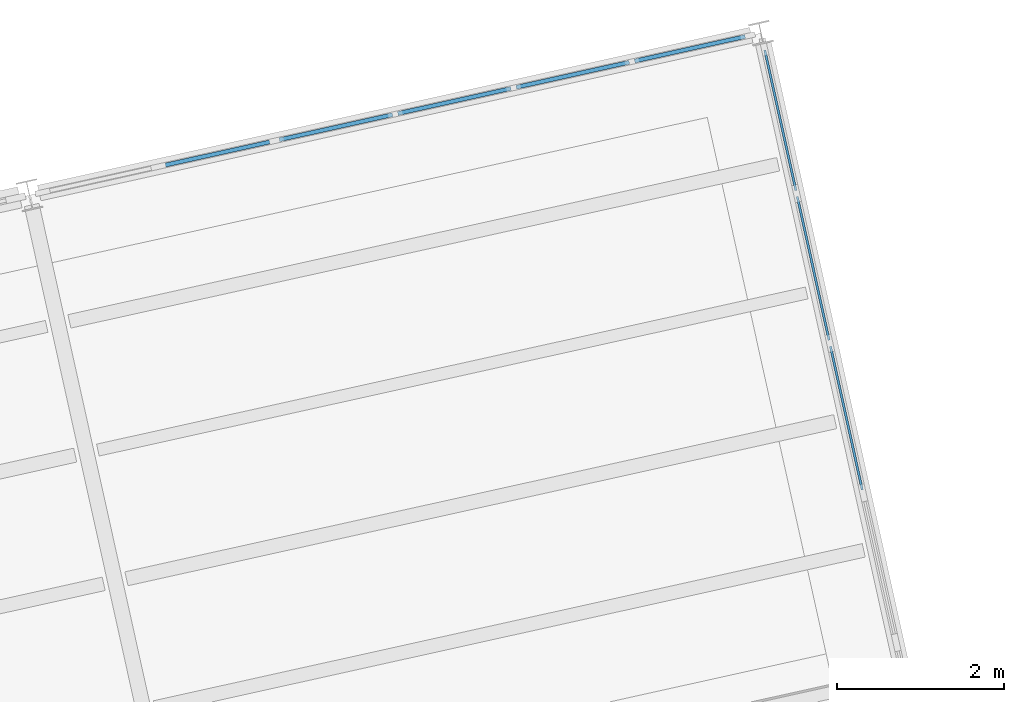
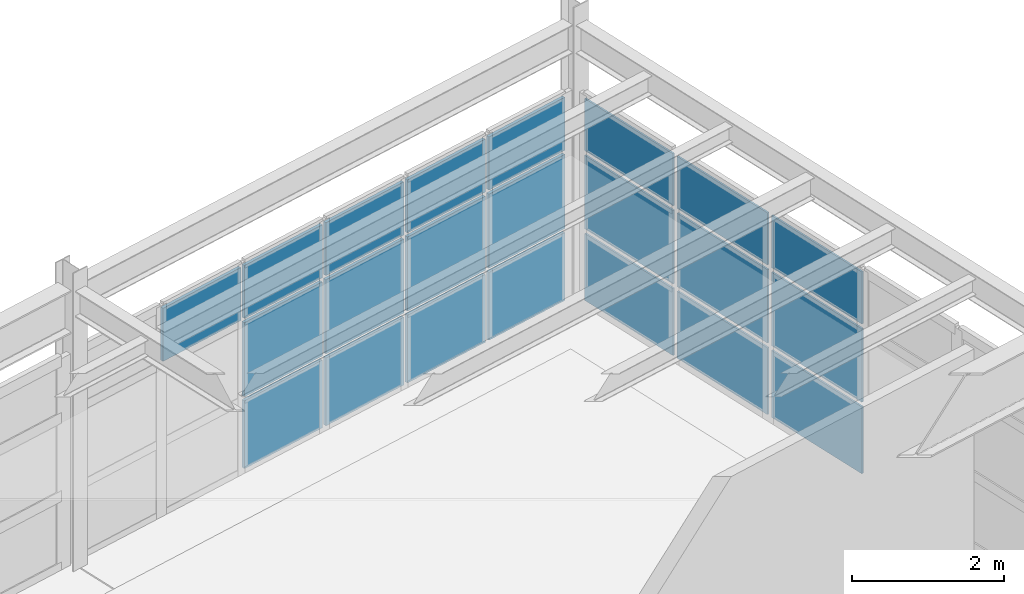
# One storey, part 40 of 59: 22 plates, 2 elements without a shape of their own.
"""IFC4 building model written with IfcOpenShell, lengths in metres."""

import ifcopenshell
import ifcopenshell.guid

model = None  # the IFC model being written
_history = None  # IfcOwnerHistory: only IFC2X3 demands one
_inside = {}  # id of a spatial element -> (the spatial element, [elements in it])
_under = {}  # id of a project, library or spatial element -> (it, [spatial elements below it])
_declared = {}  # id of a project -> (the project, [libraries it declares])
_typed = {}  # id of a type object -> (the type object, [elements of that type])
_made_of = {}  # id of a material, layer set ... -> (it, [elements and type objects made of it])


def new_model(schema):
    """Start an empty IFC model of exactly this schema.

    Asked for "IFC4X3", IfcOpenShell would pick the latest addendum, in which some entities
    have other attributes; the version numbers below select the first issue.
    IFC2X3 requires an IfcOwnerHistory on every rooted entity: one is made here for all.
    """
    global model, _history
    if schema == "IFC4X3":
        model = ifcopenshell.file(schema_version=(4, 3, 0, 0))
    else:
        model = ifcopenshell.file(schema=schema)
    _inside.clear()
    _under.clear()
    _declared.clear()
    _typed.clear()
    _made_of.clear()
    _history = None
    if model.schema == "IFC2X3":
        org = make("IfcOrganization", Name="unknown")
        user = make(
            "IfcPersonAndOrganization",
            ThePerson=make("IfcPerson", FamilyName="unknown"),
            TheOrganization=org,
        )
        app = make(
            "IfcApplication",
            ApplicationDeveloper=org,
            Version="unknown",
            ApplicationFullName="unknown",
            ApplicationIdentifier="unknown",
        )
        _history = make(
            "IfcOwnerHistory",
            OwningUser=user,
            OwningApplication=app,
            ChangeAction="ADDED",
            CreationDate=0,
        )
    return model


def make(cls, **values):
    """One entity of the class cls with the attributes given. An attribute that is None is left unset."""
    return model.create_entity(
        cls, **{name: value for name, value in values.items() if value is not None}
    )


def rooted(cls, **values):
    """An entity with a GlobalId (a new one), such as an element, a storey or a relation."""
    return make(cls, GlobalId=ifcopenshell.guid.new(), OwnerHistory=_history, **values)


def si_unit(unit_type, name, prefix=None):
    """IfcSIUnit, for example si_unit("LENGTHUNIT", "METRE", prefix="MILLI")."""
    return make("IfcSIUnit", UnitType=unit_type, Prefix=prefix, Name=name)


def assignment(units):
    """IfcUnitAssignment: the units of a project."""
    return None if units is None else make("IfcUnitAssignment", Units=units)


def point(xyz):
    """IfcCartesianPoint."""
    return None if xyz is None else make("IfcCartesianPoint", Coordinates=xyz)


def direction(xyz):
    """IfcDirection."""
    return None if xyz is None else make("IfcDirection", DirectionRatios=xyz)


def frame(location, z_axis=None, x_axis=None):
    """IfcAxis2Placement3D, a coordinate frame: its origin and axes. An axis left out is left unset."""
    return make(
        "IfcAxis2Placement3D",
        Location=point(location),
        Axis=direction(z_axis),
        RefDirection=direction(x_axis),
    )


def frame_2d(location, x_axis=None):
    """IfcAxis2Placement2D, a coordinate frame in the plane: its origin and x axis."""
    return make(
        "IfcAxis2Placement2D", Location=point(location), RefDirection=direction(x_axis)
    )


def origin():
    """The frame at (0, 0, 0) with its axes left unset."""
    return frame((0.0, 0.0, 0.0))


def origin_2d():
    """The frame at (0, 0) in the plane with its x axis left unset."""
    return frame_2d((0.0, 0.0))


def place(relative_to, where):
    """IfcLocalPlacement: puts the frame where relative to a parent placement (None: the world)."""
    return make(
        "IfcLocalPlacement", PlacementRelTo=relative_to, RelativePlacement=where
    )


def context(
    kind, dimensions, precision=None, world=None, true_north=None, identifier=None
):
    """IfcGeometricRepresentationContext, for example the 3D "Model" context."""
    return make(
        "IfcGeometricRepresentationContext",
        ContextIdentifier=identifier,
        ContextType=kind,
        CoordinateSpaceDimension=dimensions,
        Precision=precision,
        WorldCoordinateSystem=world,
        TrueNorth=true_north,
    )


def subcontext(parent, identifier, kind, view, scale=None):
    """IfcGeometricRepresentationSubContext, for example "Body" below "Model"."""
    return make(
        "IfcGeometricRepresentationSubContext",
        ContextIdentifier=identifier,
        ContextType=kind,
        ParentContext=parent,
        TargetScale=scale,
        TargetView=view,
    )


def project(units=None, contexts=None):
    """IfcProject with its units and contexts."""
    return rooted(
        "IfcProject",
        Name="project",
        RepresentationContexts=contexts,
        UnitsInContext=assignment(units),
    )


def spatial(cls, under=None, at=None, **own):
    """A site, building, storey or space (cls), placed at a placement, below another one or the project."""
    s = rooted(cls, ObjectPlacement=at, **own)
    if under is not None:
        _under.setdefault(under.id(), (under, []))[1].append(s)
    return s


def profile(cls, at=None, kind="AREA", **sizes):
    """A parametric profile (cls). Its sizes go by their IFC names, for example OverallWidth=200.0."""
    return make(cls, ProfileType=kind, Position=at, **sizes)


def rectangle(**sizes):
    """IfcRectangleProfileDef."""
    return profile("IfcRectangleProfileDef", **sizes)


def extrude(swept, where, along, depth):
    """IfcExtrudedAreaSolid: the profile swept, set in the frame where, extruded along a direction by depth."""
    return make(
        "IfcExtrudedAreaSolid",
        SweptArea=swept,
        Position=where,
        ExtrudedDirection=direction(along),
        Depth=depth,
    )


def shape(context_of_items, identifier, shape_type, items):
    """IfcShapeRepresentation: the items that make up one representation, for example the "Body"."""
    return make(
        "IfcShapeRepresentation",
        ContextOfItems=context_of_items,
        RepresentationIdentifier=identifier,
        RepresentationType=shape_type,
        Items=items,
    )


def material(Name=None, Category=None):
    """IfcMaterial."""
    return make("IfcMaterial", Name=Name, Category=Category)


def layer(
    of_material, thickness, ventilated=None, Name=None, Category=None, Priority=None
):
    """IfcMaterialLayer: one layer of a wall or slab, of a material (None: an air gap)."""
    return make(
        "IfcMaterialLayer",
        Material=of_material,
        LayerThickness=thickness,
        IsVentilated=ventilated,
        Name=Name,
        Category=Category,
        Priority=Priority,
    )


def layer_set(layers, Name=None):
    """IfcMaterialLayerSet."""
    return make("IfcMaterialLayerSet", MaterialLayers=layers, LayerSetName=Name)


def made_of(thing, what):
    """Note that an element or type object is made of a material, layer set ...; save() writes the relation."""
    if what is not None:
        _made_of.setdefault(what.id(), (what, []))[1].append(thing)
    return thing


def type_object(cls, material=None, **own):
    """A type object (cls), such as IfcWallType, which elements share."""
    return made_of(rooted(cls, **own), material)


def element(
    cls,
    number,
    at=None,
    inside=None,
    cuts=None,
    type_object=None,
    material=None,
    context=None,
    identifier="Body",
    shape_type=None,
    held_by="IfcProductDefinitionShape",
    body=None,
    shapes=None,
    **own,
):
    """One element of the class cls, such as IfcWall. Its Tag is "e" and its number.

    at: its placement. inside: the storey or other place that contains it. cuts: it is an
    opening in that element (IfcRelVoidsElement). A single representation is given by context,
    identifier, shape_type and body (its items); several are given by shapes. held_by: the class
    of the entity that holds the representations. save() writes the other relations.
    """
    e = rooted(cls, Tag="e%d" % number, ObjectPlacement=at, **own)
    if body is not None:
        shapes = [shape(context, identifier, shape_type, body)]
    if shapes is not None:
        e.Representation = make(held_by, Representations=shapes)
    if inside is not None:
        _inside.setdefault(inside.id(), (inside, []))[1].append(e)
    if cuts is not None:
        rooted(
            "IfcRelVoidsElement", RelatingBuildingElement=cuts, RelatedOpeningElement=e
        )
    if type_object is not None:
        _typed.setdefault(type_object.id(), (type_object, []))[1].append(e)
    return made_of(e, material)


def aggregate(whole, parts):
    """IfcRelAggregates: a whole, such as a stair, and the parts it consists of."""
    return rooted("IfcRelAggregates", RelatingObject=whole, RelatedObjects=parts)


def save(model, path):
    """Write the relations noted so far, then the file.

    IfcRelAggregates (storeys below a building ...), IfcRelContainedInSpatialStructure (elements
    in a storey), IfcRelDefinesByType, IfcRelAssociatesMaterial and IfcRelDeclares: one each for
    every whole, place, type object, material and project.
    """
    for whole, parts in _under.values():
        aggregate(whole, parts)
    for where, things in _inside.values():
        rooted(
            "IfcRelContainedInSpatialStructure",
            RelatedElements=things,
            RelatingStructure=where,
        )
    for kind, things in _typed.values():
        rooted("IfcRelDefinesByType", RelatedObjects=things, RelatingType=kind)
    for what, things in _made_of.values():
        rooted("IfcRelAssociatesMaterial", RelatedObjects=things, RelatingMaterial=what)
    for by, libraries in _declared.values():
        rooted("IfcRelDeclares", RelatingContext=by, RelatedDefinitions=libraries)
    model.write(path)


model = new_model("IFC4")

# Units and contexts
model_context = context("Model", 3, precision=1e-05, world=origin(), true_north=direction((0.0, 1.0)))
body_context = subcontext(model_context, "Body", "Model", "MODEL_VIEW")
ifc_project = project(units=[si_unit("LENGTHUNIT", "METRE"), si_unit("AREAUNIT", "SQUARE_METRE"), si_unit("VOLUMEUNIT", "CUBIC_METRE"), si_unit("PLANEANGLEUNIT", "RADIAN"), si_unit("MASSUNIT", "GRAM", prefix="KILO")], contexts=[model_context])

# Site, building, storey
site_placement = place(None, origin())
site = spatial("IfcSite", under=ifc_project, at=site_placement, CompositionType="ELEMENT")
building_placement = place(site_placement, origin())
building = spatial("IfcBuilding", under=site, at=building_placement, Name="Vireo Bluff Cable Station", CompositionType="ELEMENT")
storey_placement = place(building_placement, frame((0.0, 0.0, 14.39990234375)))
storey = spatial("IfcBuildingStorey", under=building, at=storey_placement, Name="L03", CompositionType="ELEMENT", Elevation=14.39990234375)

# Curtain wall, plates
ifc_material_1 = material(Name="Anodized Aluminium 6063-T6", Category="aluminium")
ifc_layer_1 = layer(ifc_material_1, 0.159912109375, Name="Anodized Aluminium 6063-T6")
ifc_layer_set_1 = layer_set([ifc_layer_1], Name="Anodized Aluminium 6063-T6")
curtain_wall_type_1 = type_object("IfcCurtainWallType", Name="CW-STICK-1850", PredefinedType="USERDEFINED", material=ifc_layer_set_1)
curtain_wall_1_placement = place(storey_placement, origin())
curtain_wall_1 = element("IfcCurtainWall", 1, at=curtain_wall_1_placement, inside=storey, type_object=curtain_wall_type_1, Name="V2 L03 east curtain wall CW-065", ObjectType="STICK CURTAIN WALL", PredefinedType="USERDEFINED")
ifc_material_2 = material(Name="Laminated Low-E Insulated Glass", Category="glass")
ifc_layer_2 = layer(ifc_material_2, 0.028076171875, Name="Laminated Low-E Insulated Glass")
ifc_layer_set_2 = layer_set([ifc_layer_2], Name="Laminated Low-E Insulated Glass")
plate_type_1 = type_object("IfcPlateType", Name="CWP-28-1", PredefinedType="CURTAIN_PANEL", material=ifc_layer_set_2)
plate_1_placement = place(storey_placement, frame((155.21044921875, 108.568359375, 0.0751953125), z_axis=(0.0, 0.0, 1.0), x_axis=(0.216439563688, -0.97629601826, 0.0)))
plate_1 = element("IfcPlate", 2, at=plate_1_placement, type_object=plate_type_1, Name="CW-065 panel 1.1", PredefinedType="CURTAIN_PANEL", context=body_context, shape_type="SweptSolid", body=[
    extrude(rectangle(XDim=1.728759765625, YDim=0.028076171875, at=origin_2d()), origin(), (0.0, 0.0, 1.0), 1.077392578125),
])
plate_2_placement = place(storey_placement, frame((155.21044921875, 108.568359375, 1.2275390625), z_axis=(0.0, 0.0, 1.0), x_axis=(0.216439563688, -0.97629601826, 0.0)))
plate_2 = element("IfcPlate", 3, at=plate_2_placement, type_object=plate_type_1, Name="CW-065 panel 1.2", PredefinedType="CURTAIN_PANEL", context=body_context, shape_type="SweptSolid", body=[
    extrude(rectangle(XDim=1.728759765625, YDim=0.028076171875, at=origin_2d()), origin(), (0.0, 0.0, 1.0), 1.18310546875),
])
plate_3_placement = place(storey_placement, frame((155.21044921875, 108.568359375, 2.4853515625), z_axis=(0.0, 0.0, 1.0), x_axis=(0.216439563688, -0.97629601826, 0.0)))
plate_3 = element("IfcPlate", 4, at=plate_3_placement, type_object=plate_type_1, Name="CW-065 panel 1.3", PredefinedType="CURTAIN_PANEL", context=body_context, shape_type="SweptSolid", body=[
    extrude(rectangle(XDim=1.728759765625, YDim=0.028076171875, at=origin_2d()), origin(), (0.0, 0.0, 1.0), 0.839599609375),
])
plate_4_placement = place(storey_placement, frame((155.60498046875, 106.7890625, 0.0751953125), z_axis=(0.0, 0.0, 1.0), x_axis=(0.216439563688, -0.97629601826, 0.0)))
plate_4 = element("IfcPlate", 5, at=plate_4_placement, type_object=plate_type_1, Name="CW-065 panel 2.1", PredefinedType="CURTAIN_PANEL", context=body_context, shape_type="SweptSolid", body=[
    extrude(rectangle(XDim=1.766357421875, YDim=0.028076171875, at=origin_2d()), origin(), (0.0, 0.0, 1.0), 1.077392578125),
])
plate_5_placement = place(storey_placement, frame((155.60498046875, 106.7890625, 1.2275390625), z_axis=(0.0, 0.0, 1.0), x_axis=(0.216439563688, -0.97629601826, 0.0)))
plate_5 = element("IfcPlate", 6, at=plate_5_placement, type_object=plate_type_1, Name="CW-065 panel 2.2", PredefinedType="CURTAIN_PANEL", context=body_context, shape_type="SweptSolid", body=[
    extrude(rectangle(XDim=1.766357421875, YDim=0.028076171875, at=origin_2d()), origin(), (0.0, 0.0, 1.0), 1.18310546875),
])
plate_6_placement = place(storey_placement, frame((155.60498046875, 106.7890625, 2.4853515625), z_axis=(0.0, 0.0, 1.0), x_axis=(0.216439563688, -0.97629601826, 0.0)))
plate_6 = element("IfcPlate", 7, at=plate_6_placement, type_object=plate_type_1, Name="CW-065 panel 2.3", PredefinedType="CURTAIN_PANEL", context=body_context, shape_type="SweptSolid", body=[
    extrude(rectangle(XDim=1.766357421875, YDim=0.028076171875, at=origin_2d()), origin(), (0.0, 0.0, 1.0), 0.839599609375),
])
plate_7_placement = place(storey_placement, frame((156.00341796875, 104.9912109375, 0.0751953125), z_axis=(0.0, 0.0, 1.0), x_axis=(0.216439563688, -0.97629601826, 0.0)))
plate_7 = element("IfcPlate", 8, at=plate_7_placement, type_object=plate_type_1, Name="CW-065 panel 3.1", PredefinedType="CURTAIN_PANEL", context=body_context, shape_type="SweptSolid", body=[
    extrude(rectangle(XDim=1.766357421875, YDim=0.028076171875, at=origin_2d()), origin(), (0.0, 0.0, 1.0), 1.077392578125),
])
plate_8_placement = place(storey_placement, frame((156.00341796875, 104.9912109375, 1.2275390625), z_axis=(0.0, 0.0, 1.0), x_axis=(0.216439563688, -0.97629601826, 0.0)))
plate_8 = element("IfcPlate", 9, at=plate_8_placement, type_object=plate_type_1, Name="CW-065 panel 3.2", PredefinedType="CURTAIN_PANEL", context=body_context, shape_type="SweptSolid", body=[
    extrude(rectangle(XDim=1.766357421875, YDim=0.028076171875, at=origin_2d()), origin(), (0.0, 0.0, 1.0), 1.18310546875),
])
plate_9_placement = place(storey_placement, frame((156.00341796875, 104.9912109375, 2.4853515625), z_axis=(0.0, 0.0, 1.0), x_axis=(0.216439563688, -0.97629601826, 0.0)))
plate_9 = element("IfcPlate", 10, at=plate_9_placement, type_object=plate_type_1, Name="CW-065 panel 3.3", PredefinedType="CURTAIN_PANEL", context=body_context, shape_type="SweptSolid", body=[
    extrude(rectangle(XDim=1.766357421875, YDim=0.028076171875, at=origin_2d()), origin(), (0.0, 0.0, 1.0), 0.839599609375),
])
aggregate(curtain_wall_1, [plate_1, plate_2, plate_3, plate_4, plate_5, plate_6, plate_7, plate_8, plate_9])

ifc_layer_3 = layer(ifc_material_1, 0.179931640625, Name="Anodized Aluminium 6063-T6")
ifc_layer_set_3 = layer_set([ifc_layer_3], Name="Anodized Aluminium 6063-T6")
curtain_wall_type_2 = type_object("IfcCurtainWallType", Name="CW-UNIT-1500", PredefinedType="USERDEFINED", material=ifc_layer_set_3)
curtain_wall_2_placement = place(storey_placement, origin())
curtain_wall_2 = element("IfcCurtainWall", 11, at=curtain_wall_2_placement, inside=storey, type_object=curtain_wall_type_2, Name="V2 L03 north curtain wall CW-064", ObjectType="UNITISED CURTAIN WALL", PredefinedType="USERDEFINED")
ifc_material_3 = material(Name="Insulated Spandrel Glass Panel", Category="glass")
ifc_layer_4 = layer(ifc_material_3, 0.048095703125, Name="Insulated Spandrel Glass Panel")
ifc_layer_set_4 = layer_set([ifc_layer_4], Name="Insulated Spandrel Glass Panel")
plate_type_2 = type_object("IfcPlateType", Name="CWP-48-5", PredefinedType="CURTAIN_PANEL", material=ifc_layer_set_4)
plate_10_placement = place(storey_placement, frame((148.45068359375, 108.169189453125, 2.480712890625), z_axis=(0.0, 0.0, 1.0), x_axis=(0.976295997736, 0.216439656264, 0.0)))
plate_10 = element("IfcPlate", 12, at=plate_10_placement, type_object=plate_type_2, Name="CW-064 panel 2.3", PredefinedType="CURTAIN_PANEL", context=body_context, shape_type="SweptSolid", body=[
    extrude(rectangle(XDim=1.391845703125, YDim=0.048095703125, at=origin_2d()), origin(), (0.0, 0.0, 1.0), 0.8544921875),
])
plate_11_placement = place(storey_placement, frame((149.873046875, 108.484375, 0.06494140625), z_axis=(0.0, 0.0, 1.0), x_axis=(0.976295997736, 0.216439656264, 0.0)))
plate_11 = element("IfcPlate", 13, at=plate_11_placement, type_object=plate_type_2, Name="CW-064 panel 3.1", PredefinedType="CURTAIN_PANEL", context=body_context, shape_type="SweptSolid", body=[
    extrude(rectangle(XDim=1.391845703125, YDim=0.048095703125, at=origin_2d()), origin(), (0.0, 0.0, 1.0), 1.092529296875),
])
plate_12_placement = place(storey_placement, frame((149.873046875, 108.484375, 1.22265625), z_axis=(0.0, 0.0, 1.0), x_axis=(0.976295997736, 0.216439656264, 0.0)))
plate_12 = element("IfcPlate", 14, at=plate_12_placement, type_object=plate_type_2, Name="CW-064 panel 3.2", PredefinedType="CURTAIN_PANEL", context=body_context, shape_type="SweptSolid", body=[
    extrude(rectangle(XDim=1.391845703125, YDim=0.048095703125, at=origin_2d()), origin(), (0.0, 0.0, 1.0), 1.193115234375),
])
plate_13_placement = place(storey_placement, frame((149.873046875, 108.484375, 2.480712890625), z_axis=(0.0, 0.0, 1.0), x_axis=(0.976295997736, 0.216439656264, 0.0)))
plate_13 = element("IfcPlate", 15, at=plate_13_placement, type_object=plate_type_2, Name="CW-064 panel 3.3", PredefinedType="CURTAIN_PANEL", context=body_context, shape_type="SweptSolid", body=[
    extrude(rectangle(XDim=1.391845703125, YDim=0.048095703125, at=origin_2d()), origin(), (0.0, 0.0, 1.0), 0.8544921875),
])
plate_14_placement = place(storey_placement, frame((151.295166015625, 108.7998046875, 0.06494140625), z_axis=(0.0, 0.0, 1.0), x_axis=(0.976295997736, 0.216439656264, 0.0)))
plate_14 = element("IfcPlate", 16, at=plate_14_placement, type_object=plate_type_2, Name="CW-064 panel 4.1", PredefinedType="CURTAIN_PANEL", context=body_context, shape_type="SweptSolid", body=[
    extrude(rectangle(XDim=1.391845703125, YDim=0.048095703125, at=origin_2d()), origin(), (0.0, 0.0, 1.0), 1.092529296875),
])
plate_15_placement = place(storey_placement, frame((151.295166015625, 108.7998046875, 1.22265625), z_axis=(0.0, 0.0, 1.0), x_axis=(0.976295997736, 0.216439656264, 0.0)))
plate_15 = element("IfcPlate", 17, at=plate_15_placement, type_object=plate_type_2, Name="CW-064 panel 4.2", PredefinedType="CURTAIN_PANEL", context=body_context, shape_type="SweptSolid", body=[
    extrude(rectangle(XDim=1.391845703125, YDim=0.048095703125, at=origin_2d()), origin(), (0.0, 0.0, 1.0), 1.193115234375),
])
plate_16_placement = place(storey_placement, frame((151.295166015625, 108.7998046875, 2.480712890625), z_axis=(0.0, 0.0, 1.0), x_axis=(0.976295997736, 0.216439656264, 0.0)))
plate_16 = element("IfcPlate", 18, at=plate_16_placement, type_object=plate_type_2, Name="CW-064 panel 4.3", PredefinedType="CURTAIN_PANEL", context=body_context, shape_type="SweptSolid", body=[
    extrude(rectangle(XDim=1.391845703125, YDim=0.048095703125, at=origin_2d()), origin(), (0.0, 0.0, 1.0), 0.8544921875),
])
plate_17_placement = place(storey_placement, frame((152.71728515625, 109.114990234375, 0.06494140625), z_axis=(0.0, 0.0, 1.0), x_axis=(0.976295997736, 0.216439656264, 0.0)))
plate_17 = element("IfcPlate", 19, at=plate_17_placement, type_object=plate_type_2, Name="CW-064 panel 5.1", PredefinedType="CURTAIN_PANEL", context=body_context, shape_type="SweptSolid", body=[
    extrude(rectangle(XDim=1.391845703125, YDim=0.048095703125, at=origin_2d()), origin(), (0.0, 0.0, 1.0), 1.092529296875),
])
plate_18_placement = place(storey_placement, frame((152.71728515625, 109.114990234375, 1.22265625), z_axis=(0.0, 0.0, 1.0), x_axis=(0.976295997736, 0.216439656264, 0.0)))
plate_18 = element("IfcPlate", 20, at=plate_18_placement, type_object=plate_type_2, Name="CW-064 panel 5.2", PredefinedType="CURTAIN_PANEL", context=body_context, shape_type="SweptSolid", body=[
    extrude(rectangle(XDim=1.391845703125, YDim=0.048095703125, at=origin_2d()), origin(), (0.0, 0.0, 1.0), 1.193115234375),
])
plate_19_placement = place(storey_placement, frame((152.71728515625, 109.114990234375, 2.480712890625), z_axis=(0.0, 0.0, 1.0), x_axis=(0.976295997736, 0.216439656264, 0.0)))
plate_19 = element("IfcPlate", 21, at=plate_19_placement, type_object=plate_type_2, Name="CW-064 panel 5.3", PredefinedType="CURTAIN_PANEL", context=body_context, shape_type="SweptSolid", body=[
    extrude(rectangle(XDim=1.391845703125, YDim=0.048095703125, at=origin_2d()), origin(), (0.0, 0.0, 1.0), 0.8544921875),
])
plate_20_placement = place(storey_placement, frame((154.123779296875, 109.4267578125, 0.06494140625), z_axis=(0.0, 0.0, 1.0), x_axis=(0.976295997736, 0.216439656264, 0.0)))
plate_20 = element("IfcPlate", 22, at=plate_20_placement, type_object=plate_type_2, Name="CW-064 panel 6.1", PredefinedType="CURTAIN_PANEL", context=body_context, shape_type="SweptSolid", body=[
    extrude(rectangle(XDim=1.359130859375, YDim=0.048095703125, at=origin_2d()), origin(), (0.0, 0.0, 1.0), 1.092529296875),
])
plate_21_placement = place(storey_placement, frame((154.123779296875, 109.4267578125, 1.22265625), z_axis=(0.0, 0.0, 1.0), x_axis=(0.976295997736, 0.216439656264, 0.0)))
plate_21 = element("IfcPlate", 23, at=plate_21_placement, type_object=plate_type_2, Name="CW-064 panel 6.2", PredefinedType="CURTAIN_PANEL", context=body_context, shape_type="SweptSolid", body=[
    extrude(rectangle(XDim=1.359130859375, YDim=0.048095703125, at=origin_2d()), origin(), (0.0, 0.0, 1.0), 1.193115234375),
])
plate_22_placement = place(storey_placement, frame((154.123779296875, 109.4267578125, 2.480712890625), z_axis=(0.0, 0.0, 1.0), x_axis=(0.976295997736, 0.216439656264, 0.0)))
plate_22 = element("IfcPlate", 24, at=plate_22_placement, type_object=plate_type_2, Name="CW-064 panel 6.3", PredefinedType="CURTAIN_PANEL", context=body_context, shape_type="SweptSolid", body=[
    extrude(rectangle(XDim=1.359130859375, YDim=0.048095703125, at=origin_2d()), origin(), (0.0, 0.0, 1.0), 0.8544921875),
])
aggregate(curtain_wall_2, [plate_10, plate_11, plate_12, plate_13, plate_14, plate_15, plate_16, plate_17, plate_18, plate_19, plate_20, plate_21, plate_22])

save(model, "model.ifc")
